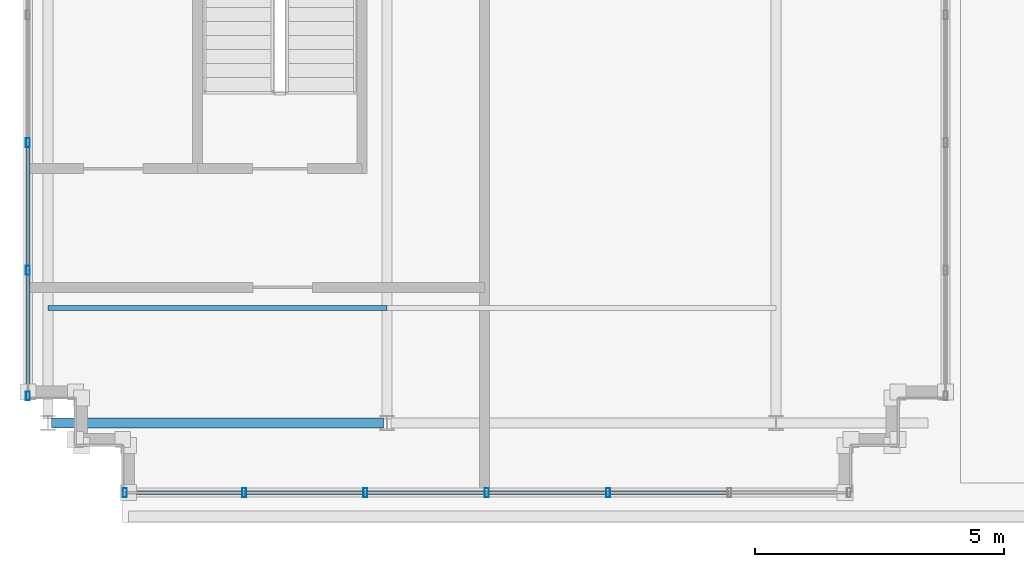
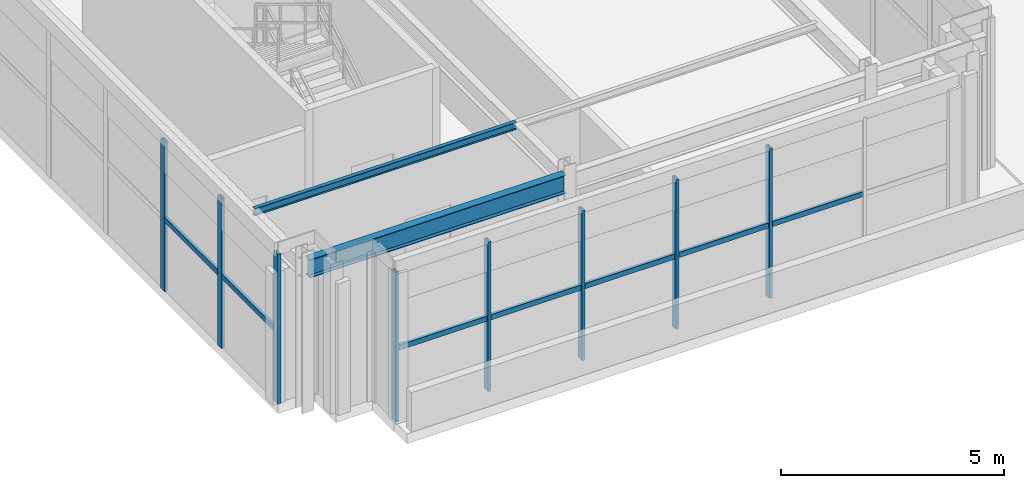
# One storey, part 3 of 28: 16 members, 1 beam, 2 elements without a shape of their own.
"""IFC4 building model written with IfcOpenShell, lengths in metres."""

from ifc_helpers import new_model, si_unit, direction, frame, origin, origin_2d, place, context, subcontext, project, spatial, hollow_rectangle, i_section, extrude, source, transform, mapped, material, material_profile, profile_set, type_object, element, aggregate, save


model = new_model("IFC4")

# Units and contexts
model_context = context("Model", 3, precision=1e-05, world=origin(), true_north=direction((0.0, 1.0)))
body_context = subcontext(model_context, "Body", "Model", "MODEL_VIEW")
ifc_project = project(units=[si_unit("LENGTHUNIT", "METRE"), si_unit("AREAUNIT", "SQUARE_METRE"), si_unit("VOLUMEUNIT", "CUBIC_METRE"), si_unit("PLANEANGLEUNIT", "RADIAN"), si_unit("MASSUNIT", "GRAM", prefix="KILO")], contexts=[model_context])

# Site, building, storey
site_placement = place(None, origin())
site = spatial("IfcSite", under=ifc_project, at=site_placement, CompositionType="ELEMENT")
building_placement = place(site_placement, origin())
building = spatial("IfcBuilding", under=site, at=building_placement, Name="Trelvane Seafront Commons", CompositionType="ELEMENT")
storey_placement = place(building_placement, frame((0.0, 0.0, 312.300048828125)))
storey = spatial("IfcBuildingStorey", under=building, at=storey_placement, Name="L81", CompositionType="ELEMENT", Elevation=312.300048828125)

# Beam
ifc_material_1 = material(Name="Steel SM355 (S355)", Category="steel")
ifc_material_profile_1 = material_profile(ifc_material_1, i_section(OverallWidth=0.199951171875, OverallDepth=0.5, WebThickness=0.010009765625, FlangeThickness=0.01611328125, at=origin_2d()), Name="H-500x200x10x16")
ifc_profile_set_1 = profile_set([ifc_material_profile_1], Name="Steel SM355 (S355)")
beam_type = type_object("IfcBeamType", Name="STR-CROWN-FRAME-RING", PredefinedType="SPANDREL", material=ifc_profile_set_1)
shared_shape_1 = source(origin(), body_context, "Body", "SweptSolid", [
    extrude(i_section(OverallWidth=0.199951171875, OverallDepth=0.5, WebThickness=0.010009765625, FlangeThickness=0.01611328125, at=origin_2d()), origin(), (0.0, 0.0, 1.0), 6.64990234375),
])
beam_placement = place(storey_placement, frame((8.875, 18.199951171875, 3.85986328125), z_axis=(1.0, 0.0, 0.0), x_axis=(0.0, 1.0, 0.0)))
element("IfcBeam", 1, at=beam_placement, inside=storey, type_object=beam_type, Name="L81 CROWN FRAME Ring Beam G-01", PredefinedType="SPANDREL", context=body_context, shape_type="MappedRepresentation", body=[
    mapped(shared_shape_1, transform((0.0, 0.0, 0.0), x_axis=(1.0, 0.0, 0.0), y_axis=(0.0, 1.0, 0.0), z_axis=(0.0, 0.0, 1.0), scale=1.0)),
])

# Member
ifc_material_profile_2 = material_profile(ifc_material_1, i_section(OverallWidth=0.10009765625, OverallDepth=0.199951171875, WebThickness=0.005615234375, FlangeThickness=0.008056640625, at=origin_2d()), Name="H-200x100x5.5x8")
ifc_profile_set_2 = profile_set([ifc_material_profile_2], Name="Steel SM355 (S355)")
member_type_1 = type_object("IfcMemberType", Name="STR-PUR-H200", PredefinedType="PURLIN", material=ifc_profile_set_2)
shared_shape_2 = source(origin(), body_context, "Body", "SweptSolid", [
    extrude(i_section(OverallWidth=0.10009765625, OverallDepth=0.199951171875, WebThickness=0.005615234375, FlangeThickness=0.008056640625, at=origin_2d()), origin(), (0.0, 0.0, 1.0), 6.800048828125),
])
member_1_placement = place(storey_placement, frame((8.800048828125, 20.5, 4.010009765625), z_axis=(1.0, 0.0, 0.0), x_axis=(0.0, 1.0, 0.0)))
element("IfcMember", 2, at=member_1_placement, inside=storey, type_object=member_type_1, Name="L81 Crown Roof Purlin PR-1", PredefinedType="PURLIN", context=body_context, shape_type="MappedRepresentation", body=[
    mapped(shared_shape_2, transform((0.0, 0.0, 0.0), x_axis=(1.0, 0.0, 0.0), y_axis=(0.0, 1.0, 0.0), z_axis=(0.0, 0.0, 1.0), scale=1.0)),
])

# Curtain wall, members
ifc_material_2 = material(Name="Anodised pale-silver aluminium", Category="aluminium")
curtain_wall_type = type_object("IfcCurtainWallType", Name="ARCH-CW6-CROWN", PredefinedType="NOTDEFINED", material=ifc_material_2)
curtain_wall_1_placement = place(storey_placement, origin())
curtain_wall_1 = element("IfcCurtainWall", 3, at=curtain_wall_1_placement, inside=storey, type_object=curtain_wall_type, Name="CW-L81-0144", PredefinedType="NOTDEFINED")
ifc_material_profile_3 = material_profile(ifc_material_2, hollow_rectangle(XDim=0.080078125, YDim=0.179931640625, WallThickness=0.00439453125, at=origin_2d()), Name="MULL-80x180x4.5")
ifc_profile_set_3 = profile_set([ifc_material_profile_3], Name="Anodised pale-silver aluminium")
member_type_2 = type_object("IfcMemberType", Name="ARCH-CW-MULL-180", PredefinedType="MULLION", material=ifc_profile_set_3)
shared_shape_3 = source(origin(), body_context, "Body", "SweptSolid", [
    extrude(hollow_rectangle(XDim=0.080078125, YDim=0.179931640625, WallThickness=0.00439453125, at=origin_2d()), origin(), (0.0, 0.0, 1.0), 4.10986328125),
])
member_2_placement = place(storey_placement, frame((8.39990234375, 18.739990234375, 0.0), z_axis=(0.0, 0.0, 1.0), x_axis=(1.0, 0.0, 0.0)))
member_2 = element("IfcMember", 4, at=member_2_placement, type_object=member_type_2, Name="CW-L81-0144-M00", PredefinedType="MULLION", context=body_context, shape_type="MappedRepresentation", body=[
    mapped(shared_shape_3, transform((0.0, 0.0, 0.0), x_axis=(1.0, 0.0, 0.0), y_axis=(0.0, 1.0, 0.0), z_axis=(0.0, 0.0, 1.0), scale=1.0)),
])
member_3_placement = place(storey_placement, frame((8.39990234375, 21.260009765625, 0.0), z_axis=(0.0, 0.0, 1.0), x_axis=(1.0, 0.0, 0.0)))
member_3 = element("IfcMember", 5, at=member_3_placement, type_object=member_type_2, Name="CW-L81-0144-M01", PredefinedType="MULLION", context=body_context, shape_type="MappedRepresentation", body=[
    mapped(shared_shape_3, transform((0.0, 0.0, 0.0), x_axis=(1.0, 0.0, 0.0), y_axis=(0.0, 1.0, 0.0), z_axis=(0.0, 0.0, 1.0), scale=1.0)),
])
member_4_placement = place(storey_placement, frame((8.39990234375, 23.820068359375, 0.0), z_axis=(0.0, 0.0, 1.0), x_axis=(1.0, 0.0, 0.0)))
member_4 = element("IfcMember", 6, at=member_4_placement, type_object=member_type_2, Name="CW-L81-0144-M02", PredefinedType="MULLION", context=body_context, shape_type="MappedRepresentation", body=[
    mapped(shared_shape_3, transform((0.0, 0.0, 0.0), x_axis=(1.0, 0.0, 0.0), y_axis=(0.0, 1.0, 0.0), z_axis=(0.0, 0.0, 1.0), scale=1.0)),
])

curtain_wall_2_placement = place(storey_placement, origin())
curtain_wall_2 = element("IfcCurtainWall", 7, at=curtain_wall_2_placement, inside=storey, type_object=curtain_wall_type, Name="CW-L81-0147", PredefinedType="NOTDEFINED")
member_5_placement = place(storey_placement, frame((20.033203125, 16.800048828125, 0.0), z_axis=(0.0, 0.0, 1.0), x_axis=(1.0, 0.0, 0.0)))
member_5 = element("IfcMember", 8, at=member_5_placement, type_object=member_type_2, Name="CW-L81-0147-M02", PredefinedType="MULLION", context=body_context, shape_type="MappedRepresentation", body=[
    mapped(shared_shape_3, transform((0.0, 0.0, 0.0), x_axis=(1.0, 0.0, 0.0), y_axis=(0.0, 1.0, 0.0), z_axis=(0.0, 0.0, 1.0), scale=1.0)),
])
member_6_placement = place(storey_placement, frame((17.60009765625, 16.800048828125, 0.0), z_axis=(0.0, 0.0, 1.0), x_axis=(1.0, 0.0, 0.0)))
member_6 = element("IfcMember", 9, at=member_6_placement, type_object=member_type_2, Name="CW-L81-0147-M03", PredefinedType="MULLION", context=body_context, shape_type="MappedRepresentation", body=[
    mapped(shared_shape_3, transform((0.0, 0.0, 0.0), x_axis=(1.0, 0.0, 0.0), y_axis=(0.0, 1.0, 0.0), z_axis=(0.0, 0.0, 1.0), scale=1.0)),
])
member_7_placement = place(storey_placement, frame((15.166748046875, 16.800048828125, 0.0), z_axis=(0.0, 0.0, 1.0), x_axis=(1.0, 0.0, 0.0)))
member_7 = element("IfcMember", 10, at=member_7_placement, type_object=member_type_2, Name="CW-L81-0147-M04", PredefinedType="MULLION", context=body_context, shape_type="MappedRepresentation", body=[
    mapped(shared_shape_3, transform((0.0, 0.0, 0.0), x_axis=(1.0, 0.0, 0.0), y_axis=(0.0, 1.0, 0.0), z_axis=(0.0, 0.0, 1.0), scale=1.0)),
])
member_8_placement = place(storey_placement, frame((12.7333984375, 16.800048828125, 0.0), z_axis=(0.0, 0.0, 1.0), x_axis=(1.0, 0.0, 0.0)))
member_8 = element("IfcMember", 11, at=member_8_placement, type_object=member_type_2, Name="CW-L81-0147-M05", PredefinedType="MULLION", context=body_context, shape_type="MappedRepresentation", body=[
    mapped(shared_shape_3, transform((0.0, 0.0, 0.0), x_axis=(1.0, 0.0, 0.0), y_axis=(0.0, 1.0, 0.0), z_axis=(0.0, 0.0, 1.0), scale=1.0)),
])
member_9_placement = place(storey_placement, frame((10.340087890625, 16.800048828125, 0.0), z_axis=(0.0, 0.0, 1.0), x_axis=(1.0, 0.0, 0.0)))
member_9 = element("IfcMember", 12, at=member_9_placement, type_object=member_type_2, Name="CW-L81-0147-M06", PredefinedType="MULLION", context=body_context, shape_type="MappedRepresentation", body=[
    mapped(shared_shape_3, transform((0.0, 0.0, 0.0), x_axis=(1.0, 0.0, 0.0), y_axis=(0.0, 1.0, 0.0), z_axis=(0.0, 0.0, 1.0), scale=1.0)),
])

# Member
ifc_material_profile_4 = material_profile(ifc_material_2, hollow_rectangle(XDim=0.074951171875, YDim=0.139892578125, WallThickness=0.00390625, at=origin_2d()), Name="TRAN-75x140x4")
ifc_profile_set_4 = profile_set([ifc_material_profile_4], Name="Anodised pale-silver aluminium")
member_type_3 = type_object("IfcMemberType", Name="ARCH-CW-TRAN-140", PredefinedType="USERDEFINED", material=ifc_profile_set_4)
shared_shape_4 = source(origin(), body_context, "Body", "SweptSolid", [
    extrude(hollow_rectangle(XDim=0.074951171875, YDim=0.139892578125, WallThickness=0.00390625, at=origin_2d()), origin(), (0.0, 0.0, 1.0), 2.5361328125),
])
member_10_placement = place(storey_placement, frame((8.39990234375, 18.7119140625, 1.972900390625), z_axis=(0.0, 1.0, 0.0), x_axis=(-1.0, 0.0, 0.0)))
member_10 = element("IfcMember", 13, at=member_10_placement, type_object=member_type_3, Name="CW-L81-0144-T00", ObjectType="TRANSOM", PredefinedType="USERDEFINED", context=body_context, shape_type="MappedRepresentation", body=[
    mapped(shared_shape_4, transform((0.0, 0.0, 0.0), x_axis=(1.0, 0.0, 0.0), y_axis=(0.0, 1.0, 0.0), z_axis=(0.0, 0.0, 1.0), scale=1.0)),
])

member_11_placement = place(storey_placement, frame((8.39990234375, 21.27197265625, 1.972900390625), z_axis=(0.0, 1.0, 0.0), x_axis=(-1.0, 0.0, 0.0)))
member_11 = element("IfcMember", 14, at=member_11_placement, type_object=member_type_3, Name="CW-L81-0144-T01", ObjectType="TRANSOM", PredefinedType="USERDEFINED", context=body_context, shape_type="MappedRepresentation", body=[
    mapped(shared_shape_4, transform((0.0, 0.0, 0.0), x_axis=(1.0, 0.0, 0.0), y_axis=(0.0, 1.0, 0.0), z_axis=(0.0, 0.0, 1.0), scale=1.0)),
])

aggregate(curtain_wall_1, [member_2, member_3, member_4, member_10, member_11])

shared_shape_5 = source(origin(), body_context, "Body", "SweptSolid", [
    extrude(hollow_rectangle(XDim=0.074951171875, YDim=0.139892578125, WallThickness=0.00390625, at=origin_2d()), origin(), (0.0, 0.0, 1.0), 2.4091796875),
])
member_12_placement = place(storey_placement, frame((22.45458984375, 16.800048828125, 1.972900390625), z_axis=(-1.0, 0.0, 0.0), x_axis=(0.0, -1.0, 0.0)))
member_12 = element("IfcMember", 15, at=member_12_placement, type_object=member_type_3, Name="CW-L81-0147-T01", ObjectType="TRANSOM", PredefinedType="USERDEFINED", context=body_context, shape_type="MappedRepresentation", body=[
    mapped(shared_shape_5, transform((0.0, 0.0, 0.0), x_axis=(1.0, 0.0, 0.0), y_axis=(0.0, 1.0, 0.0), z_axis=(0.0, 0.0, 1.0), scale=1.0)),
])

member_13_placement = place(storey_placement, frame((20.021240234375, 16.800048828125, 1.972900390625), z_axis=(-1.0, 0.0, 0.0), x_axis=(0.0, -1.0, 0.0)))
member_13 = element("IfcMember", 16, at=member_13_placement, type_object=member_type_3, Name="CW-L81-0147-T02", ObjectType="TRANSOM", PredefinedType="USERDEFINED", context=body_context, shape_type="MappedRepresentation", body=[
    mapped(shared_shape_5, transform((0.0, 0.0, 0.0), x_axis=(1.0, 0.0, 0.0), y_axis=(0.0, 1.0, 0.0), z_axis=(0.0, 0.0, 1.0), scale=1.0)),
])

member_14_placement = place(storey_placement, frame((17.587890625, 16.800048828125, 1.972900390625), z_axis=(-1.0, 0.0, 0.0), x_axis=(0.0, -1.0, 0.0)))
member_14 = element("IfcMember", 17, at=member_14_placement, type_object=member_type_3, Name="CW-L81-0147-T03", ObjectType="TRANSOM", PredefinedType="USERDEFINED", context=body_context, shape_type="MappedRepresentation", body=[
    mapped(shared_shape_5, transform((0.0, 0.0, 0.0), x_axis=(1.0, 0.0, 0.0), y_axis=(0.0, 1.0, 0.0), z_axis=(0.0, 0.0, 1.0), scale=1.0)),
])

member_15_placement = place(storey_placement, frame((12.72119140625, 16.800048828125, 1.972900390625), z_axis=(-1.0, 0.0, 0.0), x_axis=(0.0, -1.0, 0.0)))
member_15 = element("IfcMember", 18, at=member_15_placement, type_object=member_type_3, Name="CW-L81-0147-T05", ObjectType="TRANSOM", PredefinedType="USERDEFINED", context=body_context, shape_type="MappedRepresentation", body=[
    mapped(shared_shape_5, transform((0.0, 0.0, 0.0), x_axis=(1.0, 0.0, 0.0), y_axis=(0.0, 1.0, 0.0), z_axis=(0.0, 0.0, 1.0), scale=1.0)),
])

shared_shape_6 = source(origin(), body_context, "Body", "SweptSolid", [
    extrude(hollow_rectangle(XDim=0.074951171875, YDim=0.139892578125, WallThickness=0.00390625, at=origin_2d()), origin(), (0.0, 0.0, 1.0), 2.409423828125),
])
member_16_placement = place(storey_placement, frame((15.15478515625, 16.800048828125, 1.972900390625), z_axis=(-1.0, 0.0, 0.0), x_axis=(0.0, -1.0, 0.0)))
member_16 = element("IfcMember", 19, at=member_16_placement, type_object=member_type_3, Name="CW-L81-0147-T04", ObjectType="TRANSOM", PredefinedType="USERDEFINED", context=body_context, shape_type="MappedRepresentation", body=[
    mapped(shared_shape_6, transform((0.0, 0.0, 0.0), x_axis=(1.0, 0.0, 0.0), y_axis=(0.0, 1.0, 0.0), z_axis=(0.0, 0.0, 1.0), scale=1.0)),
])

aggregate(curtain_wall_2, [member_5, member_6, member_7, member_8, member_9, member_12, member_13, member_14, member_16, member_15])

save(model, "model.ifc")
